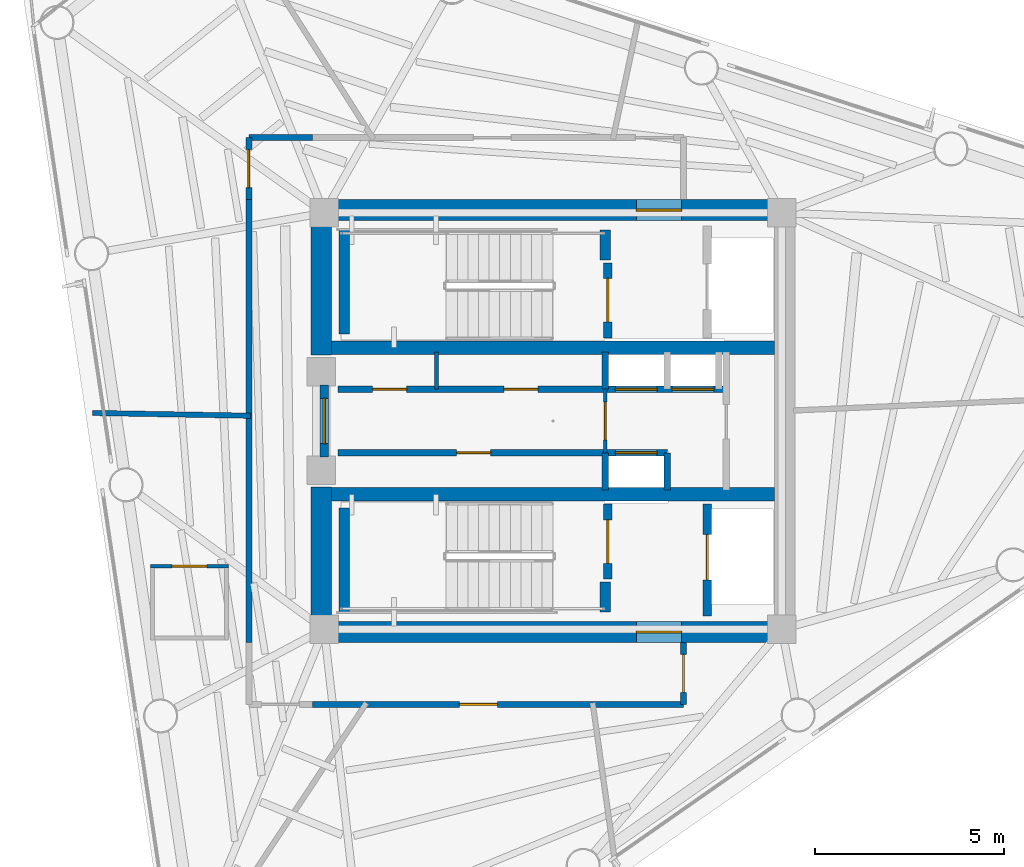
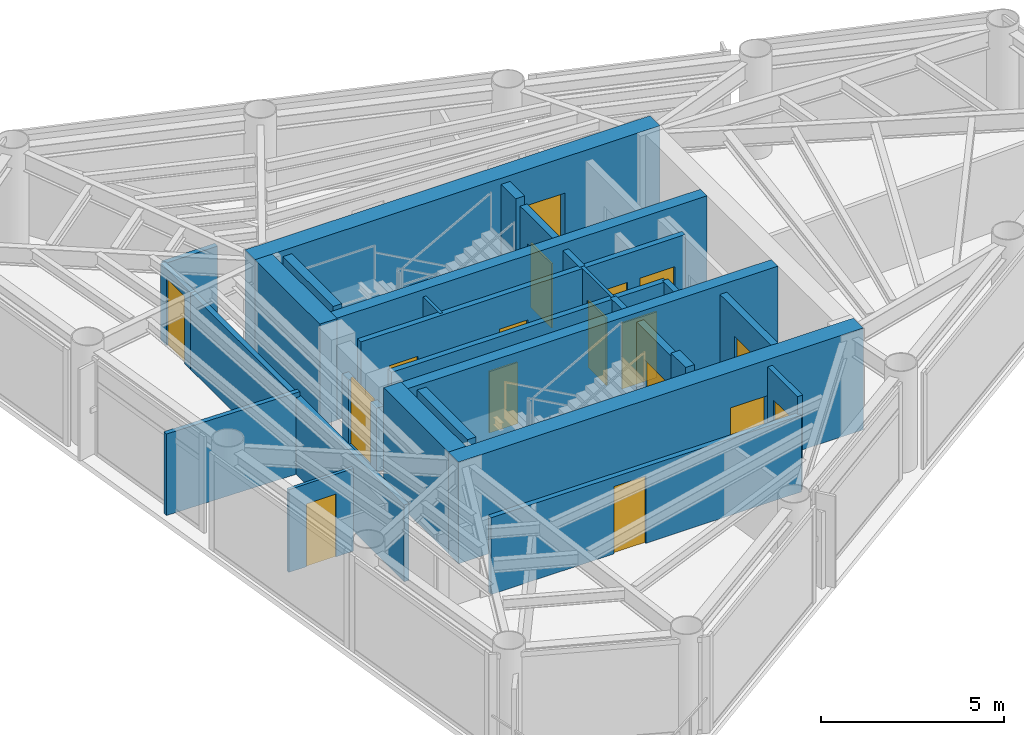
# One storey, part 5 of 9: 28 walls, 17 doors, 17 openings.
"""IFC4 building model written with IfcOpenShell, lengths in metres."""

from ifc_helpers import new_model, si_unit, direction, frame, frame_2d, origin, place, context, subcontext, project, spatial, rectangle, extrude, material, layer, layer_set, type_object, element, fill, save


model = new_model("IFC4")

# Units and contexts
model_context = context("Model", 3, precision=1e-05, world=origin(), true_north=direction((0.0, 1.0)))
body_context = subcontext(model_context, "Body", "Model", "MODEL_VIEW")
ifc_project = project(units=[si_unit("LENGTHUNIT", "METRE"), si_unit("AREAUNIT", "SQUARE_METRE"), si_unit("VOLUMEUNIT", "CUBIC_METRE"), si_unit("PLANEANGLEUNIT", "RADIAN"), si_unit("MASSUNIT", "GRAM", prefix="KILO")], contexts=[model_context])

# Site, building, storey
site_placement = place(None, origin())
site = spatial("IfcSite", under=ifc_project, at=site_placement, CompositionType="ELEMENT")
building_placement = place(site_placement, origin())
building = spatial("IfcBuilding", under=site, at=building_placement, Name="Yunling Apex Tower", CompositionType="ELEMENT")
storey_placement = place(building_placement, frame((0.0, 0.0, 281.35009765625)))
storey = spatial("IfcBuildingStorey", under=building, at=storey_placement, Name="L69", CompositionType="ELEMENT", Elevation=281.35009765625)

# Wall, opening, door
ifc_material_1 = material(Name="Concrete C40", Category="concrete")
ifc_layer_1 = layer(ifc_material_1, 0.550048828125)
ifc_layer_set_1 = layer_set([ifc_layer_1], Name="Concrete C40")
wall_type_1 = type_object("IfcWallType", Name="WL-COR-3", PredefinedType="SHEAR", material=ifc_layer_set_1)
wall_1_placement = place(storey_placement, frame((-6.39990234375, 5.574951171875, 0.0), z_axis=(0.0, 0.0, 1.0), x_axis=(1.0, 0.0, 0.0)))
wall_1 = element("IfcWall", 1, at=wall_1_placement, inside=storey, type_object=wall_type_1, Name="L69 North Core Shear Wall", PredefinedType="SHEAR", context=body_context, shape_type="SweptSolid", body=[
    extrude(rectangle(XDim=12.7998046875, YDim=0.550048828125, at=frame_2d((6.39990234375, 0.0))), origin(), (0.0, 0.0, 1.0), 3.39990234375),
])
opening_1_placement = place(wall_1_placement, frame((8.60009765625, 0.0, 0.0)))
opening_1 = element("IfcOpeningElement", 2, at=opening_1_placement, cuts=wall_1, Name="Opening DR-FFL-1", PredefinedType="OPENING", context=body_context, shape_type="SweptSolid", body=[
    extrude(rectangle(XDim=1.199951171875, YDim=2.199951171875, at=frame_2d((0.60009765625, 1.10009765625))), frame((0.0, 0.28515625, 0.0), z_axis=(0.0, -1.0, 0.0), x_axis=(1.0, 0.0, 0.0)), (0.0, 0.0, 1.0), 0.570068359375),
])
ifc_material_2 = material(Name="Steel Q355B", Category="steel")
door_type_1 = type_object("IfcDoorType", Name="DR-FFL-1", OperationType="NOTDEFINED", PredefinedType="DOOR", material=ifc_material_2)
door_1_placement = place(opening_1_placement, origin())
door_1 = element("IfcDoor", 3, at=door_1_placement, inside=storey, type_object=door_type_1, Name="L69 North Firefighting Lobby Door", OperationType="SINGLE_SWING_LEFT", OverallHeight=2.199951171875, OverallWidth=1.199951171875, PredefinedType="DOOR", context=body_context, shape_type="SweptSolid", body=[
    extrude(rectangle(XDim=1.199951171875, YDim=2.199951171875, at=frame_2d((0.60009765625, 1.10009765625))), frame((0.0, 0.02490234375, 0.0), z_axis=(0.0, -1.0, 0.0), x_axis=(1.0, 0.0, 0.0)), (0.0, 0.0, 1.0), 0.050048828125),
])
fill(opening_1, door_1)

wall_2_placement = place(storey_placement, frame((-6.39990234375, -5.574951171875, 0.0), z_axis=(0.0, 0.0, 1.0), x_axis=(1.0, 0.0, 0.0)))
wall_2 = element("IfcWall", 4, at=wall_2_placement, inside=storey, type_object=wall_type_1, Name="L69 South Core Shear Wall", PredefinedType="SHEAR", context=body_context, shape_type="SweptSolid", body=[
    extrude(rectangle(XDim=12.7998046875, YDim=0.550048828125, at=frame_2d((6.39990234375, 0.0))), origin(), (0.0, 0.0, 1.0), 3.39990234375),
])
opening_2_placement = place(wall_2_placement, frame((8.60009765625, 0.0, 0.0)))
opening_2 = element("IfcOpeningElement", 5, at=opening_2_placement, cuts=wall_2, Name="Opening DR-FFL-1", PredefinedType="OPENING", context=body_context, shape_type="SweptSolid", body=[
    extrude(rectangle(XDim=1.199951171875, YDim=2.199951171875, at=frame_2d((0.60009765625, 1.10009765625))), frame((0.0, 0.28515625, 0.0), z_axis=(0.0, -1.0, 0.0), x_axis=(1.0, 0.0, 0.0)), (0.0, 0.0, 1.0), 0.570068359375),
])
door_2_placement = place(opening_2_placement, origin())
door_2 = element("IfcDoor", 6, at=door_2_placement, inside=storey, type_object=door_type_1, Name="L69 South Firefighting Lobby Door", OperationType="SINGLE_SWING_RIGHT", OverallHeight=2.199951171875, OverallWidth=1.199951171875, PredefinedType="DOOR", context=body_context, shape_type="SweptSolid", body=[
    extrude(rectangle(XDim=1.199951171875, YDim=2.199951171875, at=frame_2d((0.60009765625, 1.10009765625))), frame((0.0, 0.02490234375, 0.0), z_axis=(0.0, -1.0, 0.0), x_axis=(1.0, 0.0, 0.0)), (0.0, 0.0, 1.0), 0.050048828125),
])
fill(opening_2, door_2)

# Walls
for number, where, z_axis, x_axis, name in (
    (7, (-6.125, -5.300048828125, 0.0), (0.0, 0.0, 1.0), (0.0, 1.0, 0.0), "L69 West-South Core Shear Wall"),
    (8, (-6.125, 1.75, 0.0), (0.0, 0.0, 1.0), (0.0, 1.0, 0.0), "L69 West-North Core Shear Wall"),
):
    element("IfcWall", number, at=place(storey_placement, frame(where, z_axis=z_axis, x_axis=x_axis)), inside=storey, type_object=wall_type_1, Name=name, PredefinedType="SHEAR", context=body_context, shape_type="SweptSolid", body=[
        extrude(rectangle(XDim=3.550048828125, YDim=0.550048828125, at=frame_2d((1.77490234375, 0.0))), origin(), (0.0, 0.0, 1.0), 3.39990234375),
    ])
ifc_layer_2 = layer(ifc_material_1, 0.360107421875)
ifc_layer_set_2 = layer_set([ifc_layer_2], Name="Concrete C40")
wall_type_2 = type_object("IfcWallType", Name="WL-COR-4", PredefinedType="SHEAR", material=ifc_layer_set_2)
for number, where, z_axis, x_axis, name in (
    (9, (-5.85009765625, 1.93994140625, 0.0), (0.0, 0.0, 1.0), (1.0, 0.0, 0.0), "L69 North Internal Core Shear Wall"),
    (10, (-5.85009765625, -1.93994140625, 0.0), (0.0, 0.0, 1.0), (1.0, 0.0, 0.0), "L69 South Internal Core Shear Wall"),
):
    element("IfcWall", number, at=place(storey_placement, frame(where, z_axis=z_axis, x_axis=x_axis)), inside=storey, type_object=wall_type_2, Name=name, PredefinedType="SHEAR", context=body_context, shape_type="SweptSolid", body=[
        extrude(rectangle(XDim=11.7001953125, YDim=0.360107421875, at=frame_2d((5.85009765625, 0.0))), origin(), (0.0, 0.0, 1.0), 3.39990234375),
    ])
ifc_layer_3 = layer(ifc_material_1, 0.280029296875)
ifc_layer_set_3 = layer_set([ifc_layer_3], Name="Concrete C40")
wall_type_3 = type_object("IfcWallType", Name="WL-COR-8", PredefinedType="SHEAR", material=ifc_layer_set_3)
wall_3_placement = place(storey_placement, frame((-5.52001953125, 2.300048828125, 0.0), z_axis=(0.0, 0.0, 1.0), x_axis=(0.0, 1.0, 0.0)))
element("IfcWall", 11, at=wall_3_placement, inside=storey, type_object=wall_type_3, Name="L69 ST-1 West Landing Bearing Wall", PredefinedType="SHEAR", context=body_context, shape_type="SweptSolid", body=[
    extrude(rectangle(XDim=2.75, YDim=0.280029296875, at=frame_2d((1.375, 0.0))), origin(), (0.0, 0.0, 1.0), 3.39990234375),
])
wall_4_placement = place(storey_placement, frame((1.3798828125, 4.25, 0.0), z_axis=(0.0, 0.0, 1.0), x_axis=(0.0, 1.0, 0.0)))
element("IfcWall", 12, at=wall_4_placement, inside=storey, type_object=wall_type_3, Name="L69 ST-1 East Landing Bearing Pier", PredefinedType="SHEAR", context=body_context, shape_type="SweptSolid", body=[
    extrude(rectangle(XDim=0.800048828125, YDim=0.280029296875, at=frame_2d((0.39990234375, 0.0))), origin(), (0.0, 0.0, 1.0), 3.39990234375),
])
wall_5_placement = place(storey_placement, frame((-5.52001953125, -5.050048828125, 0.0), z_axis=(0.0, 0.0, 1.0), x_axis=(0.0, 1.0, 0.0)))
element("IfcWall", 13, at=wall_5_placement, inside=storey, type_object=wall_type_3, Name="L69 ST-2 West Landing Bearing Wall", PredefinedType="SHEAR", context=body_context, shape_type="SweptSolid", body=[
    extrude(rectangle(XDim=2.75, YDim=0.280029296875, at=frame_2d((1.375, 0.0))), origin(), (0.0, 0.0, 1.0), 3.39990234375),
])
wall_6_placement = place(storey_placement, frame((1.3798828125, -5.050048828125, 0.0), z_axis=(0.0, 0.0, 1.0), x_axis=(0.0, 1.0, 0.0)))
element("IfcWall", 14, at=wall_6_placement, inside=storey, type_object=wall_type_3, Name="L69 ST-2 East Landing Bearing Pier", PredefinedType="SHEAR", context=body_context, shape_type="SweptSolid", body=[
    extrude(rectangle(XDim=0.800048828125, YDim=0.280029296875, at=frame_2d((0.39990234375, 0.0))), origin(), (0.0, 0.0, 1.0), 3.39990234375),
])

# Wall, opening, door
ifc_material_3 = material(Name="Gypsum board acoustic partition")
ifc_layer_4 = layer(ifc_material_3, 0.159912109375)
ifc_layer_set_4 = layer_set([ifc_layer_4], Name="Gypsum board acoustic partition")
wall_type_4 = type_object("IfcWallType", Name="WL-PRT-1", PredefinedType="PARTITIONING", material=ifc_layer_set_4)
wall_7_placement = place(storey_placement, frame((-8.0400390625, 5.85009765625, 0.0), z_axis=(0.0, 0.0, 1.0), x_axis=(0.0, 1.0, 0.0)))
wall_7 = element("IfcWall", 15, at=wall_7_placement, inside=storey, type_object=wall_type_4, Name="WL-CORR-L69-01", PredefinedType="PARTITIONING", context=body_context, shape_type="SweptSolid", body=[
    extrude(rectangle(XDim=1.639892578125, YDim=0.159912109375, at=frame_2d((0.81982421875, 0.0))), origin(), (0.0, 0.0, 1.0), 2.56494140625),
])
opening_3_placement = place(wall_7_placement, frame((0.320068359375, 0.0, 0.0)))
opening_3 = element("IfcOpeningElement", 16, at=opening_3_placement, cuts=wall_7, Name="Opening DR-OFF-1", PredefinedType="OPENING", context=body_context, shape_type="SweptSolid", body=[
    extrude(rectangle(XDim=1.0, YDim=2.25, at=frame_2d((0.5, 1.125))), frame((0.0, 0.08984375, 0.0), z_axis=(0.0, -1.0, 0.0), x_axis=(1.0, 0.0, 0.0)), (0.0, 0.0, 1.0), 0.179931640625),
])
ifc_material_4 = material(Name="Bronze anodised aluminium", Category="aluminium")
door_type_2 = type_object("IfcDoorType", Name="DR-OFF-1", OperationType="NOTDEFINED", PredefinedType="DOOR", material=ifc_material_4)
door_3_placement = place(opening_3_placement, origin())
door_3 = element("IfcDoor", 17, at=door_3_placement, inside=storey, type_object=door_type_2, Name="L69 Private Tea Kitchen Door", OperationType="SINGLE_SWING_LEFT", OverallHeight=2.25, OverallWidth=1.0, PredefinedType="DOOR", context=body_context, shape_type="SweptSolid", body=[
    extrude(rectangle(XDim=1.0, YDim=2.25, at=frame_2d((0.5, 1.125))), frame((0.0, 0.02490234375, 0.0), z_axis=(0.0, -1.0, 0.0), x_axis=(1.0, 0.0, 0.0)), (0.0, 0.0, 1.0), 0.050048828125),
])
fill(opening_3, door_3)

# Wall
wall_8_placement = place(storey_placement, frame((-8.0400390625, 7.489990234375, 0.0), z_axis=(0.0, 0.0, 1.0), x_axis=(1.0, 0.0, 0.0)))
element("IfcWall", 18, at=wall_8_placement, inside=storey, type_object=wall_type_4, Name="WL-CORR-L69-02", PredefinedType="PARTITIONING", context=body_context, shape_type="SweptSolid", body=[
    extrude(rectangle(XDim=1.679931640625, YDim=0.159912109375, at=frame_2d((0.83984375, 0.0))), origin(), (0.0, 0.0, 1.0), 2.56494140625),
])

# Wall, opening, door
wall_9_placement = place(storey_placement, frame((3.449951171875, -5.85009765625, 0.0), z_axis=(0.0, 0.0, 1.0), x_axis=(0.0, -1.0, 0.0)))
wall_9 = element("IfcWall", 19, at=wall_9_placement, inside=storey, type_object=wall_type_4, Name="WL-CORR-L69-05", PredefinedType="PARTITIONING", context=body_context, shape_type="SweptSolid", body=[
    extrude(rectangle(XDim=1.639892578125, YDim=0.159912109375, at=frame_2d((0.81982421875, 0.0))), origin(), (0.0, 0.0, 1.0), 3.159912109375),
])
opening_4_placement = place(wall_9_placement, frame((0.320068359375, 0.0, 0.0)))
opening_4 = element("IfcOpeningElement", 20, at=opening_4_placement, cuts=wall_9, Name="Opening DR-OFF-1", PredefinedType="OPENING", context=body_context, shape_type="SweptSolid", body=[
    extrude(rectangle(XDim=1.0, YDim=2.25, at=frame_2d((0.5, 1.125))), frame((0.0, 0.08984375, 0.0), z_axis=(0.0, -1.0, 0.0), x_axis=(1.0, 0.0, 0.0)), (0.0, 0.0, 1.0), 0.179931640625),
])
door_4_placement = place(opening_4_placement, origin())
door_4 = element("IfcDoor", 21, at=door_4_placement, inside=storey, type_object=door_type_2, Name="L69 Concierge Reception Foyer Door", OperationType="SINGLE_SWING_RIGHT", OverallHeight=2.25, OverallWidth=1.0, PredefinedType="DOOR", context=body_context, shape_type="SweptSolid", body=[
    extrude(rectangle(XDim=1.0, YDim=2.25, at=frame_2d((0.5, 1.125))), frame((0.0, 0.02490234375, 0.0), z_axis=(0.0, -1.0, 0.0), x_axis=(1.0, 0.0, 0.0)), (0.0, 0.0, 1.0), 0.050048828125),
])
fill(opening_4, door_4)

wall_10_placement = place(storey_placement, frame((3.449951171875, -7.489990234375, 0.0), z_axis=(0.0, 0.0, 1.0), x_axis=(-1.0, 0.0, 0.0)))
wall_10 = element("IfcWall", 22, at=wall_10_placement, inside=storey, type_object=wall_type_4, Name="WL-CORR-L69-06", PredefinedType="PARTITIONING", context=body_context, shape_type="SweptSolid", body=[
    extrude(rectangle(XDim=9.81005859375, YDim=0.159912109375, at=frame_2d((4.905029296875, 0.0))), origin(), (0.0, 0.0, 1.0), 2.56494140625),
])
opening_5_placement = place(wall_10_placement, frame((4.923095703125, 0.0, 0.0)))
opening_5 = element("IfcOpeningElement", 23, at=opening_5_placement, cuts=wall_10, Name="Opening DR-OFF-1", PredefinedType="OPENING", context=body_context, shape_type="SweptSolid", body=[
    extrude(rectangle(XDim=1.0, YDim=2.25, at=frame_2d((0.5, 1.125))), frame((0.0, 0.08984375, 0.0), z_axis=(0.0, -1.0, 0.0), x_axis=(1.0, 0.0, 0.0)), (0.0, 0.0, 1.0), 0.179931640625),
])
door_5_placement = place(opening_5_placement, origin())
door_5 = element("IfcDoor", 24, at=door_5_placement, inside=storey, type_object=door_type_2, Name="L69 Private Tea Kitchen Door", OperationType="SINGLE_SWING_LEFT", OverallHeight=2.25, OverallWidth=1.0, PredefinedType="DOOR", context=body_context, shape_type="SweptSolid", body=[
    extrude(rectangle(XDim=1.0, YDim=2.25, at=frame_2d((0.5, 1.125))), frame((0.0, 0.02490234375, 0.0), z_axis=(0.0, -1.0, 0.0), x_axis=(1.0, 0.0, 0.0)), (0.0, 0.0, 1.0), 0.050048828125),
])
fill(opening_5, door_5)

# Walls
wall_11_placement = place(storey_placement, frame((-8.0400390625, -5.85009765625, 0.0), z_axis=(0.0, 0.0, 1.0), x_axis=(0.0, 1.0, 0.0)))
element("IfcWall", 25, at=wall_11_placement, inside=storey, type_object=wall_type_4, Name="WL-CORR-L69-09", PredefinedType="PARTITIONING", context=body_context, shape_type="SweptSolid", body=[
    extrude(rectangle(XDim=11.7001953125, YDim=0.159912109375, at=frame_2d((5.85009765625, 0.0))), origin(), (0.0, 0.0, 1.0), 2.56494140625),
])
ifc_layer_5 = layer(ifc_material_3, 0.139892578125)
ifc_layer_set_5 = layer_set([ifc_layer_5], Name="Gypsum board acoustic partition")
wall_type_5 = type_object("IfcWallType", Name="WL-PRT-2", PredefinedType="PARTITIONING", material=ifc_layer_set_5)
wall_12_placement = place(storey_placement, frame((-8.0, 0.1396484375, 0.0), z_axis=(0.0, 0.0, 1.0), x_axis=(-0.999848132876, 0.017427311435, 0.0)))
element("IfcWall", 26, at=wall_12_placement, inside=storey, type_object=wall_type_5, Name="WL-RAD-L69-04", PredefinedType="PARTITIONING", context=body_context, shape_type="SweptSolid", body=[
    extrude(rectangle(XDim=4.1748046875, YDim=0.139892578125, at=frame_2d((2.08740234375, 0.0))), origin(), (0.0, 0.0, 1.0), 2.724853515625),
])

# Wall, opening, door
ifc_layer_6 = layer(ifc_material_3, 0.10009765625)
ifc_layer_set_6 = layer_set([ifc_layer_6], Name="Gypsum board acoustic partition")
wall_type_6 = type_object("IfcWallType", Name="WL-PRT-4", PredefinedType="PARTITIONING", material=ifc_layer_set_6)
wall_13_placement = place(storey_placement, frame((1.3798828125, -0.840087890625, 0.0), z_axis=(0.0, 0.0, 1.0), x_axis=(0.0, 1.0, 0.0)))
wall_13 = element("IfcWall", 27, at=wall_13_placement, inside=storey, type_object=wall_type_6, Name="WL-LOB-MID-L69", PredefinedType="PARTITIONING", context=body_context, shape_type="SweptSolid", body=[
    extrude(rectangle(XDim=1.68017578125, YDim=0.10009765625, at=frame_2d((0.840087890625, 0.0))), origin(), (0.0, 0.0, 1.0), 3.159912109375),
])
opening_6_placement = place(wall_13_placement, frame((0.340087890625, 0.0, 0.0)))
opening_6 = element("IfcOpeningElement", 28, at=opening_6_placement, cuts=wall_13, Name="Opening DR-OFF-1", PredefinedType="OPENING", context=body_context, shape_type="SweptSolid", body=[
    extrude(rectangle(XDim=1.0, YDim=2.25, at=frame_2d((0.5, 1.125))), frame((0.0, 0.06005859375, 0.0), z_axis=(0.0, -1.0, 0.0), x_axis=(1.0, 0.0, 0.0)), (0.0, 0.0, 1.0), 0.1201171875),
])
door_6_placement = place(opening_6_placement, origin())
door_6 = element("IfcDoor", 29, at=door_6_placement, inside=storey, type_object=door_type_2, Name="L69 Core Lobby Link Door", OperationType="SINGLE_SWING_LEFT", OverallHeight=2.25, OverallWidth=1.0, PredefinedType="DOOR", context=body_context, shape_type="SweptSolid", body=[
    extrude(rectangle(XDim=1.0, YDim=2.25, at=frame_2d((0.5, 1.125))), frame((0.0, 0.02490234375, 0.0), z_axis=(0.0, -1.0, 0.0), x_axis=(1.0, 0.0, 0.0)), (0.0, 0.0, 1.0), 0.050048828125),
])
fill(opening_6, door_6)

# Wall
wall_14_placement = place(storey_placement, frame((-3.080078125, 0.840087890625, 0.0), z_axis=(0.0, 0.0, 1.0), x_axis=(0.0, 1.0, 0.0)))
element("IfcWall", 30, at=wall_14_placement, inside=storey, type_object=wall_type_6, Name="WL-RECLMB-N-L69", PredefinedType="PARTITIONING", context=body_context, shape_type="SweptSolid", body=[
    extrude(rectangle(XDim=0.97998046875, YDim=0.10009765625, at=frame_2d((0.489990234375, 0.0))), origin(), (0.0, 0.0, 1.0), 3.159912109375),
])

# Wall, opening, door
wall_15_placement = place(storey_placement, frame((-10.632080078125, -3.8369140625, 0.0), z_axis=(0.0, 0.0, 1.0), x_axis=(1.0, 0.0, 0.0)))
wall_15 = element("IfcWall", 31, at=wall_15_placement, inside=storey, type_object=wall_type_6, Name="WL-L69-RWC1N", PredefinedType="PARTITIONING", context=body_context, shape_type="SweptSolid", body=[
    extrude(rectangle(XDim=2.050048828125, YDim=0.10009765625, at=frame_2d((1.02490234375, 0.0))), origin(), (0.0, 0.0, 1.0), 2.764892578125),
])
opening_7_placement = place(wall_15_placement, frame((0.56494140625, 0.0, 0.0)))
opening_7 = element("IfcOpeningElement", 32, at=opening_7_placement, cuts=wall_15, Name="Opening DR-WC-1", PredefinedType="OPENING", context=body_context, shape_type="SweptSolid", body=[
    extrude(rectangle(XDim=0.919921875, YDim=2.10009765625, at=frame_2d((0.4599609375, 1.050048828125))), frame((0.0, 0.06005859375, 0.0), z_axis=(0.0, -1.0, 0.0), x_axis=(1.0, 0.0, 0.0)), (0.0, 0.0, 1.0), 0.1201171875),
])
ifc_material_5 = material(Name="Timber moisture-resistant leaf", Category="wood")
door_type_3 = type_object("IfcDoorType", Name="DR-WC-1", OperationType="NOTDEFINED", PredefinedType="DOOR", material=ifc_material_5)
door_7_placement = place(opening_7_placement, origin())
door_7 = element("IfcDoor", 33, at=door_7_placement, inside=storey, type_object=door_type_3, Name="L69 Accessible WC Door", OperationType="SINGLE_SWING_RIGHT", OverallHeight=2.10009765625, OverallWidth=0.919921875, PredefinedType="DOOR", context=body_context, shape_type="SweptSolid", body=[
    extrude(rectangle(XDim=0.919921875, YDim=2.10009765625, at=frame_2d((0.4599609375, 1.050048828125))), frame((0.0, 0.02490234375, 0.0), z_axis=(0.0, -1.0, 0.0), x_axis=(1.0, 0.0, 0.0)), (0.0, 0.0, 1.0), 0.050048828125),
])
fill(opening_7, door_7)

ifc_material_6 = material(Name="Autoclaved aerated concrete masonry", Category="masonry")
ifc_layer_7 = layer(ifc_material_6, 0.219970703125)
ifc_layer_set_7 = layer_set([ifc_layer_7], Name="Autoclaved aerated concrete masonry")
wall_type_7 = type_object("IfcWallType", Name="WL-SHF-1", PredefinedType="PLUMBINGWALL", material=ifc_layer_set_7)
wall_16_placement = place(storey_placement, frame((-6.050048828125, -0.949951171875, 0.0), z_axis=(0.0, 0.0, 1.0), x_axis=(0.0, 1.0, 0.0)))
wall_16 = element("IfcWall", 34, at=wall_16_placement, inside=storey, type_object=wall_type_7, Name="WL-COR-WPORT-L69", PredefinedType="PLUMBINGWALL", context=body_context, shape_type="SweptSolid", body=[
    extrude(rectangle(XDim=1.89990234375, YDim=0.219970703125, at=frame_2d((0.949951171875, 0.0))), origin(), (0.0, 0.0, 1.0), 2.139892578125),
])
opening_8_placement = place(wall_16_placement, frame((0.35009765625, 0.0, 0.0)))
opening_8 = element("IfcOpeningElement", 35, at=opening_8_placement, cuts=wall_16, Name="Opening DR-FFL-1", PredefinedType="OPENING", context=body_context, shape_type="SweptSolid", body=[
    extrude(rectangle(XDim=1.199951171875, YDim=2.199951171875, at=frame_2d((0.60009765625, 1.10009765625))), frame((0.0, 0.1201171875, 0.0), z_axis=(0.0, -1.0, 0.0), x_axis=(1.0, 0.0, 0.0)), (0.0, 0.0, 1.0), 0.239990234375),
])
door_8_placement = place(opening_8_placement, origin())
door_8 = element("IfcDoor", 36, at=door_8_placement, inside=storey, type_object=door_type_1, Name="L69 Passenger Lift Lobby Entrance Door", OperationType="SINGLE_SWING_RIGHT", OverallHeight=2.199951171875, OverallWidth=1.199951171875, PredefinedType="DOOR", context=body_context, shape_type="SweptSolid", body=[
    extrude(rectangle(XDim=1.199951171875, YDim=2.199951171875, at=frame_2d((0.60009765625, 1.10009765625))), frame((0.0, 0.02490234375, 0.0), z_axis=(0.0, -1.0, 0.0), x_axis=(1.0, 0.0, 0.0)), (0.0, 0.0, 1.0), 0.050048828125),
])
fill(opening_8, door_8)

wall_17_placement = place(storey_placement, frame((1.449951171875, 2.199951171875, 0.0), z_axis=(0.0, 0.0, 1.0), x_axis=(0.0, 1.0, 0.0)))
wall_17 = element("IfcWall", 37, at=wall_17_placement, inside=storey, type_object=wall_type_7, Name="WL-ST1-E-L69", PredefinedType="PLUMBINGWALL", context=body_context, shape_type="SweptSolid", body=[
    extrude(rectangle(XDim=1.97998046875, YDim=0.219970703125, at=frame_2d((0.989990234375, 0.0))), origin(), (0.0, 0.0, 1.0), 3.159912109375),
])
opening_9_placement = place(wall_17_placement, frame((0.419921875, 0.0, 0.0)))
opening_9 = element("IfcOpeningElement", 38, at=opening_9_placement, cuts=wall_17, Name="Opening DR-ST-1", PredefinedType="OPENING", context=body_context, shape_type="SweptSolid", body=[
    extrude(rectangle(XDim=1.14990234375, YDim=2.14990234375, at=frame_2d((0.574951171875, 1.074951171875))), frame((0.0, 0.1201171875, 0.0), z_axis=(0.0, -1.0, 0.0), x_axis=(1.0, 0.0, 0.0)), (0.0, 0.0, 1.0), 0.239990234375),
])
door_type_4 = type_object("IfcDoorType", Name="DR-ST-1", OperationType="NOTDEFINED", PredefinedType="DOOR", material=ifc_material_2)
door_9_placement = place(opening_9_placement, origin())
door_9 = element("IfcDoor", 39, at=door_9_placement, inside=storey, type_object=door_type_4, Name="L69 Stair ST-1 Fire Door", OperationType="SINGLE_SWING_LEFT", OverallHeight=2.14990234375, OverallWidth=1.14990234375, PredefinedType="DOOR", context=body_context, shape_type="SweptSolid", body=[
    extrude(rectangle(XDim=1.14990234375, YDim=2.14990234375, at=frame_2d((0.574951171875, 1.074951171875))), frame((0.0, 0.02490234375, 0.0), z_axis=(0.0, -1.0, 0.0), x_axis=(1.0, 0.0, 0.0)), (0.0, 0.0, 1.0), 0.050048828125),
])
fill(opening_9, door_9)

wall_18_placement = place(storey_placement, frame((1.449951171875, -4.179931640625, 0.0), z_axis=(0.0, 0.0, 1.0), x_axis=(0.0, 1.0, 0.0)))
wall_18 = element("IfcWall", 40, at=wall_18_placement, inside=storey, type_object=wall_type_7, Name="WL-ST2-E-L69", PredefinedType="PLUMBINGWALL", context=body_context, shape_type="SweptSolid", body=[
    extrude(rectangle(XDim=1.97998046875, YDim=0.219970703125, at=frame_2d((0.989990234375, 0.0))), origin(), (0.0, 0.0, 1.0), 3.159912109375),
])
opening_10_placement = place(wall_18_placement, frame((0.419921875, 0.0, 0.0)))
opening_10 = element("IfcOpeningElement", 41, at=opening_10_placement, cuts=wall_18, Name="Opening DR-ST-1", PredefinedType="OPENING", context=body_context, shape_type="SweptSolid", body=[
    extrude(rectangle(XDim=1.14990234375, YDim=2.14990234375, at=frame_2d((0.574951171875, 1.074951171875))), frame((0.0, 0.1201171875, 0.0), z_axis=(0.0, -1.0, 0.0), x_axis=(1.0, 0.0, 0.0)), (0.0, 0.0, 1.0), 0.239990234375),
])
door_10_placement = place(opening_10_placement, origin())
door_10 = element("IfcDoor", 42, at=door_10_placement, inside=storey, type_object=door_type_4, Name="L69 Stair ST-2 Fire Door", OperationType="SINGLE_SWING_RIGHT", OverallHeight=2.14990234375, OverallWidth=1.14990234375, PredefinedType="DOOR", context=body_context, shape_type="SweptSolid", body=[
    extrude(rectangle(XDim=1.14990234375, YDim=2.14990234375, at=frame_2d((0.574951171875, 1.074951171875))), frame((0.0, 0.02490234375, 0.0), z_axis=(0.0, -1.0, 0.0), x_axis=(1.0, 0.0, 0.0)), (0.0, 0.0, 1.0), 0.050048828125),
])
fill(opening_10, door_10)

wall_19_placement = place(storey_placement, frame((4.080078125, -5.14990234375, 0.0), z_axis=(0.0, 0.0, 1.0), x_axis=(0.0, 1.0, 0.0)))
wall_19 = element("IfcWall", 43, at=wall_19_placement, inside=storey, type_object=wall_type_7, Name="WL-FFL2-W-L69", PredefinedType="PLUMBINGWALL", context=body_context, shape_type="SweptSolid", body=[
    extrude(rectangle(XDim=2.949951171875, YDim=0.219970703125, at=frame_2d((1.47509765625, 0.0))), origin(), (0.0, 0.0, 1.0), 3.159912109375),
])
opening_11_placement = place(wall_19_placement, frame((0.949951171875, 0.0, 0.0)))
opening_11 = element("IfcOpeningElement", 44, at=opening_11_placement, cuts=wall_19, Name="Opening LD-FFL-1", PredefinedType="OPENING", context=body_context, shape_type="SweptSolid", body=[
    extrude(rectangle(XDim=1.199951171875, YDim=2.25, at=frame_2d((0.60009765625, 1.125))), frame((0.0, 0.1201171875, 0.0), z_axis=(0.0, -1.0, 0.0), x_axis=(1.0, 0.0, 0.0)), (0.0, 0.0, 1.0), 0.239990234375),
])
door_type_5 = type_object("IfcDoorType", Name="LD-FFL-1", OperationType="DOUBLE_DOOR_SLIDING", PredefinedType="DOOR", material=ifc_material_2)
door_11_placement = place(opening_11_placement, origin())
door_11 = element("IfcDoor", 45, at=door_11_placement, inside=storey, type_object=door_type_5, Name="L69 Lift FFL-2 Landing Door", OperationType="DOUBLE_DOOR_SLIDING", OverallHeight=2.25, OverallWidth=1.199951171875, PredefinedType="DOOR", context=body_context, shape_type="SweptSolid", body=[
    extrude(rectangle(XDim=1.199951171875, YDim=2.25, at=frame_2d((0.60009765625, 1.125))), frame((0.0, 0.02490234375, 0.0), z_axis=(0.0, -1.0, 0.0), x_axis=(1.0, 0.0, 0.0)), (0.0, 0.0, 1.0), 0.050048828125),
])
fill(opening_11, door_11)

# Walls
ifc_layer_8 = layer(ifc_material_6, 0.179931640625)
ifc_layer_set_8 = layer_set([ifc_layer_8], Name="Autoclaved aerated concrete masonry")
wall_type_8 = type_object("IfcWallType", Name="WL-SHF-2", PredefinedType="PLUMBINGWALL", material=ifc_layer_set_8)
for number, where, z_axis, x_axis, name in (
    (46, (1.3798828125, 0.840087890625, 0.0), (0.0, 0.0, 1.0), (0.0, 1.0, 0.0), "WL-BNK-MH-N-L69"),
    (47, (1.3798828125, -1.820068359375, 0.0), (0.0, 0.0, 1.0), (0.0, 1.0, 0.0), "WL-BNK-MH-S-L69"),
    (48, (3.02001953125, -1.820068359375, 0.0), (0.0, 0.0, 1.0), (0.0, 1.0, 0.0), "WL-END-H2E-L69"),
):
    element("IfcWall", number, at=place(storey_placement, frame(where, z_axis=z_axis, x_axis=x_axis)), inside=storey, type_object=wall_type_8, Name=name, PredefinedType="PLUMBINGWALL", context=body_context, shape_type="SweptSolid", body=[
        extrude(rectangle(XDim=0.97998046875, YDim=0.179931640625, at=frame_2d((0.489990234375, 0.0))), origin(), (0.0, 0.0, 1.0), 3.159912109375),
    ])

# Wall, openings, doors
wall_20_placement = place(storey_placement, frame((-5.679931640625, 0.840087890625, 0.0), z_axis=(0.0, 0.0, 1.0), x_axis=(1.0, 0.0, 0.0)))
wall_20 = element("IfcWall", 49, at=wall_20_placement, inside=storey, type_object=wall_type_8, Name="WL-LOB-N-L69", PredefinedType="PLUMBINGWALL", context=body_context, shape_type="SweptSolid", body=[
    extrude(rectangle(XDim=10.260009765625, YDim=0.179931640625, at=frame_2d((5.1298828125, 0.0))), origin(), (0.0, 0.0, 1.0), 3.159912109375),
])
opening_12_placement = place(wall_20_placement, frame((0.909912109375, 0.0, 0.0)))
opening_12 = element("IfcOpeningElement", 50, at=opening_12_placement, cuts=wall_20, Name="Opening DR-SHF-1", PredefinedType="OPENING", context=body_context, shape_type="SweptSolid", body=[
    extrude(rectangle(XDim=0.89990234375, YDim=2.050048828125, at=frame_2d((0.449951171875, 1.02490234375))), frame((0.0, 0.10009765625, 0.0), z_axis=(0.0, -1.0, 0.0), x_axis=(1.0, 0.0, 0.0)), (0.0, 0.0, 1.0), 0.199951171875),
])
opening_13_placement = place(wall_20_placement, frame((4.3798828125, 0.0, 0.0)))
opening_13 = element("IfcOpeningElement", 51, at=opening_13_placement, cuts=wall_20, Name="Opening DR-SHF-1", PredefinedType="OPENING", context=body_context, shape_type="SweptSolid", body=[
    extrude(rectangle(XDim=0.89990234375, YDim=2.050048828125, at=frame_2d((0.449951171875, 1.02490234375))), frame((0.0, 0.10009765625, 0.0), z_axis=(0.0, -1.0, 0.0), x_axis=(1.0, 0.0, 0.0)), (0.0, 0.0, 1.0), 0.199951171875),
])
opening_14_placement = place(wall_20_placement, frame((7.330078125, 0.0, 0.0)))
opening_14 = element("IfcOpeningElement", 52, at=opening_14_placement, cuts=wall_20, Name="Opening LD-PAS-1", PredefinedType="OPENING", context=body_context, shape_type="SweptSolid", body=[
    extrude(rectangle(XDim=1.10009765625, YDim=2.199951171875, at=frame_2d((0.550048828125, 1.10009765625))), frame((0.0, 0.10009765625, 0.0), z_axis=(0.0, -1.0, 0.0), x_axis=(1.0, 0.0, 0.0)), (0.0, 0.0, 1.0), 0.199951171875),
])
opening_15_placement = place(wall_20_placement, frame((8.830078125, 0.0, 0.0)))
opening_15 = element("IfcOpeningElement", 53, at=opening_15_placement, cuts=wall_20, Name="Opening LD-PAS-1", PredefinedType="OPENING", context=body_context, shape_type="SweptSolid", body=[
    extrude(rectangle(XDim=1.10009765625, YDim=2.199951171875, at=frame_2d((0.550048828125, 1.10009765625))), frame((0.0, 0.10009765625, 0.0), z_axis=(0.0, -1.0, 0.0), x_axis=(1.0, 0.0, 0.0)), (0.0, 0.0, 1.0), 0.199951171875),
])
door_type_6 = type_object("IfcDoorType", Name="DR-SHF-1", OperationType="NOTDEFINED", PredefinedType="DOOR", material=ifc_material_2)
door_12_placement = place(opening_12_placement, origin())
door_12 = element("IfcDoor", 54, at=door_12_placement, inside=storey, type_object=door_type_6, Name="L69 Switchgear Plant Door", OperationType="SINGLE_SWING_LEFT", OverallHeight=2.050048828125, OverallWidth=0.89990234375, PredefinedType="DOOR", context=body_context, shape_type="SweptSolid", body=[
    extrude(rectangle(XDim=0.89990234375, YDim=2.050048828125, at=frame_2d((0.449951171875, 1.02490234375))), frame((0.0, 0.02490234375, 0.0), z_axis=(0.0, -1.0, 0.0), x_axis=(1.0, 0.0, 0.0)), (0.0, 0.0, 1.0), 0.050048828125),
])
fill(opening_12, door_12)
door_13_placement = place(opening_13_placement, origin())
door_13 = element("IfcDoor", 55, at=door_13_placement, inside=storey, type_object=door_type_6, Name="L69 Valet Storage Door", OperationType="SINGLE_SWING_RIGHT", OverallHeight=2.050048828125, OverallWidth=0.89990234375, PredefinedType="DOOR", context=body_context, shape_type="SweptSolid", body=[
    extrude(rectangle(XDim=0.89990234375, YDim=2.050048828125, at=frame_2d((0.449951171875, 1.02490234375))), frame((0.0, 0.02490234375, 0.0), z_axis=(0.0, -1.0, 0.0), x_axis=(1.0, 0.0, 0.0)), (0.0, 0.0, 1.0), 0.050048828125),
])
fill(opening_13, door_13)
ifc_material_7 = material(Name="Silver anodised aluminium", Category="aluminium")
door_type_7 = type_object("IfcDoorType", Name="LD-PAS-1", OperationType="DOUBLE_DOOR_SLIDING", PredefinedType="DOOR", material=ifc_material_7)
door_14_placement = place(opening_14_placement, origin())
door_14 = element("IfcDoor", 56, at=door_14_placement, inside=storey, type_object=door_type_7, Name="L69 Lift PL-H1 Landing Door", OperationType="DOUBLE_DOOR_SLIDING", OverallHeight=2.199951171875, OverallWidth=1.10009765625, PredefinedType="DOOR", context=body_context, shape_type="SweptSolid", body=[
    extrude(rectangle(XDim=1.10009765625, YDim=2.199951171875, at=frame_2d((0.550048828125, 1.10009765625))), frame((0.0, 0.02490234375, 0.0), z_axis=(0.0, -1.0, 0.0), x_axis=(1.0, 0.0, 0.0)), (0.0, 0.0, 1.0), 0.050048828125),
])
fill(opening_14, door_14)
door_15_placement = place(opening_15_placement, origin())
door_15 = element("IfcDoor", 57, at=door_15_placement, inside=storey, type_object=door_type_7, Name="L69 Lift PL-H3 Landing Door", OperationType="DOUBLE_DOOR_SLIDING", OverallHeight=2.199951171875, OverallWidth=1.10009765625, PredefinedType="DOOR", context=body_context, shape_type="SweptSolid", body=[
    extrude(rectangle(XDim=1.10009765625, YDim=2.199951171875, at=frame_2d((0.550048828125, 1.10009765625))), frame((0.0, 0.02490234375, 0.0), z_axis=(0.0, -1.0, 0.0), x_axis=(1.0, 0.0, 0.0)), (0.0, 0.0, 1.0), 0.050048828125),
])
fill(opening_15, door_15)

wall_21_placement = place(storey_placement, frame((-5.679931640625, -0.840087890625, 0.0), z_axis=(0.0, 0.0, 1.0), x_axis=(1.0, 0.0, 0.0)))
wall_21 = element("IfcWall", 58, at=wall_21_placement, inside=storey, type_object=wall_type_8, Name="WL-LOB-S-L69", PredefinedType="PLUMBINGWALL", context=body_context, shape_type="SweptSolid", body=[
    extrude(rectangle(XDim=8.699951171875, YDim=0.179931640625, at=frame_2d((4.35009765625, 0.0))), origin(), (0.0, 0.0, 1.0), 3.159912109375),
])
opening_16_placement = place(wall_21_placement, frame((3.1298828125, 0.0, 0.0)))
opening_16 = element("IfcOpeningElement", 59, at=opening_16_placement, cuts=wall_21, Name="Opening DR-SHF-1", PredefinedType="OPENING", context=body_context, shape_type="SweptSolid", body=[
    extrude(rectangle(XDim=0.89990234375, YDim=2.050048828125, at=frame_2d((0.449951171875, 1.02490234375))), frame((0.0, 0.10009765625, 0.0), z_axis=(0.0, -1.0, 0.0), x_axis=(1.0, 0.0, 0.0)), (0.0, 0.0, 1.0), 0.199951171875),
])
opening_17_placement = place(wall_21_placement, frame((7.330078125, 0.0, 0.0)))
opening_17 = element("IfcOpeningElement", 60, at=opening_17_placement, cuts=wall_21, Name="Opening LD-PAS-1", PredefinedType="OPENING", context=body_context, shape_type="SweptSolid", body=[
    extrude(rectangle(XDim=1.10009765625, YDim=2.199951171875, at=frame_2d((0.550048828125, 1.10009765625))), frame((0.0, 0.10009765625, 0.0), z_axis=(0.0, -1.0, 0.0), x_axis=(1.0, 0.0, 0.0)), (0.0, 0.0, 1.0), 0.199951171875),
])
door_16_placement = place(opening_16_placement, origin())
door_16 = element("IfcDoor", 61, at=door_16_placement, inside=storey, type_object=door_type_6, Name="L69 BMS Plant Door", OperationType="SINGLE_SWING_LEFT", OverallHeight=2.050048828125, OverallWidth=0.89990234375, PredefinedType="DOOR", context=body_context, shape_type="SweptSolid", body=[
    extrude(rectangle(XDim=0.89990234375, YDim=2.050048828125, at=frame_2d((0.449951171875, 1.02490234375))), frame((0.0, 0.02490234375, 0.0), z_axis=(0.0, -1.0, 0.0), x_axis=(1.0, 0.0, 0.0)), (0.0, 0.0, 1.0), 0.050048828125),
])
fill(opening_16, door_16)
door_17_placement = place(opening_17_placement, origin())
door_17 = element("IfcDoor", 62, at=door_17_placement, inside=storey, type_object=door_type_7, Name="L69 Lift PL-H2 Landing Door", OperationType="DOUBLE_DOOR_SLIDING", OverallHeight=2.199951171875, OverallWidth=1.10009765625, PredefinedType="DOOR", context=body_context, shape_type="SweptSolid", body=[
    extrude(rectangle(XDim=1.10009765625, YDim=2.199951171875, at=frame_2d((0.550048828125, 1.10009765625))), frame((0.0, 0.02490234375, 0.0), z_axis=(0.0, -1.0, 0.0), x_axis=(1.0, 0.0, 0.0)), (0.0, 0.0, 1.0), 0.050048828125),
])
fill(opening_17, door_17)

save(model, "model.ifc")
